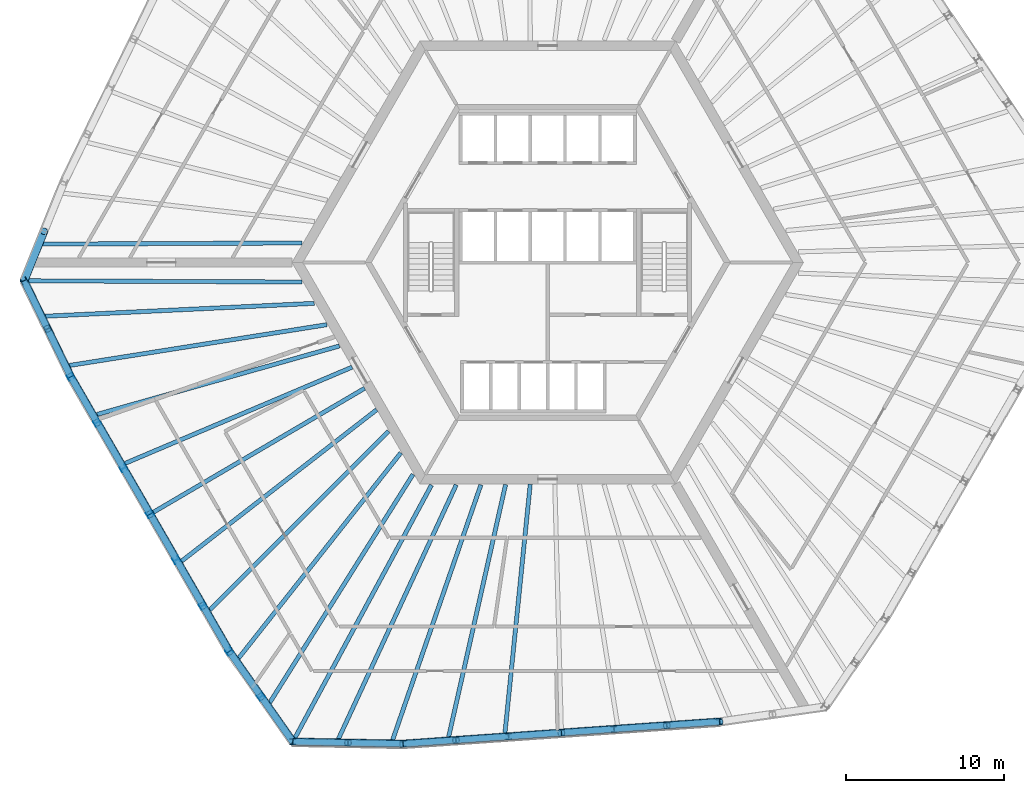
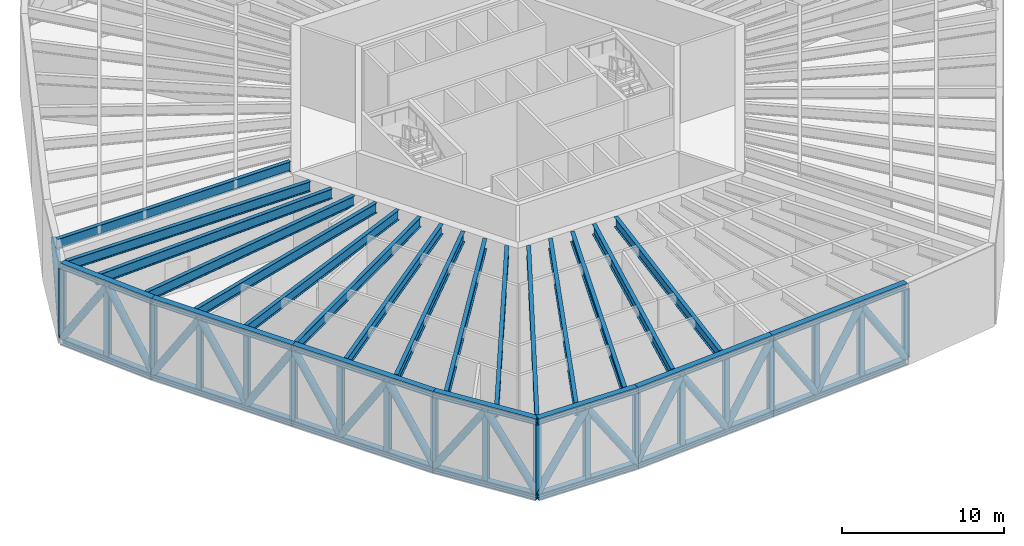
# One storey, part 1 of 11: 52 members, 16 beams.
"""IFC4 building model written with IfcOpenShell, lengths in metres."""

import ifcopenshell
import ifcopenshell.guid

model = None  # the IFC model being written
_history = None  # IfcOwnerHistory: only IFC2X3 demands one
_inside = {}  # id of a spatial element -> (the spatial element, [elements in it])
_under = {}  # id of a project, library or spatial element -> (it, [spatial elements below it])
_declared = {}  # id of a project -> (the project, [libraries it declares])
_typed = {}  # id of a type object -> (the type object, [elements of that type])
_made_of = {}  # id of a material, layer set ... -> (it, [elements and type objects made of it])


def new_model(schema):
    """Start an empty IFC model of exactly this schema.

    Asked for "IFC4X3", IfcOpenShell would pick the latest addendum, in which some entities
    have other attributes; the version numbers below select the first issue.
    IFC2X3 requires an IfcOwnerHistory on every rooted entity: one is made here for all.
    """
    global model, _history
    if schema == "IFC4X3":
        model = ifcopenshell.file(schema_version=(4, 3, 0, 0))
    else:
        model = ifcopenshell.file(schema=schema)
    _inside.clear()
    _under.clear()
    _declared.clear()
    _typed.clear()
    _made_of.clear()
    _history = None
    if model.schema == "IFC2X3":
        org = make("IfcOrganization", Name="unknown")
        user = make(
            "IfcPersonAndOrganization",
            ThePerson=make("IfcPerson", FamilyName="unknown"),
            TheOrganization=org,
        )
        app = make(
            "IfcApplication",
            ApplicationDeveloper=org,
            Version="unknown",
            ApplicationFullName="unknown",
            ApplicationIdentifier="unknown",
        )
        _history = make(
            "IfcOwnerHistory",
            OwningUser=user,
            OwningApplication=app,
            ChangeAction="ADDED",
            CreationDate=0,
        )
    return model


def make(cls, **values):
    """One entity of the class cls with the attributes given. An attribute that is None is left unset."""
    return model.create_entity(
        cls, **{name: value for name, value in values.items() if value is not None}
    )


def rooted(cls, **values):
    """An entity with a GlobalId (a new one), such as an element, a storey or a relation."""
    return make(cls, GlobalId=ifcopenshell.guid.new(), OwnerHistory=_history, **values)


def si_unit(unit_type, name, prefix=None):
    """IfcSIUnit, for example si_unit("LENGTHUNIT", "METRE", prefix="MILLI")."""
    return make("IfcSIUnit", UnitType=unit_type, Prefix=prefix, Name=name)


def assignment(units):
    """IfcUnitAssignment: the units of a project."""
    return None if units is None else make("IfcUnitAssignment", Units=units)


def point(xyz):
    """IfcCartesianPoint."""
    return None if xyz is None else make("IfcCartesianPoint", Coordinates=xyz)


def direction(xyz):
    """IfcDirection."""
    return None if xyz is None else make("IfcDirection", DirectionRatios=xyz)


def frame(location, z_axis=None, x_axis=None):
    """IfcAxis2Placement3D, a coordinate frame: its origin and axes. An axis left out is left unset."""
    return make(
        "IfcAxis2Placement3D",
        Location=point(location),
        Axis=direction(z_axis),
        RefDirection=direction(x_axis),
    )


def frame_2d(location, x_axis=None):
    """IfcAxis2Placement2D, a coordinate frame in the plane: its origin and x axis."""
    return make(
        "IfcAxis2Placement2D", Location=point(location), RefDirection=direction(x_axis)
    )


def origin():
    """The frame at (0, 0, 0) with its axes left unset."""
    return frame((0.0, 0.0, 0.0))


def origin_2d():
    """The frame at (0, 0) in the plane with its x axis left unset."""
    return frame_2d((0.0, 0.0))


def place(relative_to, where):
    """IfcLocalPlacement: puts the frame where relative to a parent placement (None: the world)."""
    return make(
        "IfcLocalPlacement", PlacementRelTo=relative_to, RelativePlacement=where
    )


def context(
    kind, dimensions, precision=None, world=None, true_north=None, identifier=None
):
    """IfcGeometricRepresentationContext, for example the 3D "Model" context."""
    return make(
        "IfcGeometricRepresentationContext",
        ContextIdentifier=identifier,
        ContextType=kind,
        CoordinateSpaceDimension=dimensions,
        Precision=precision,
        WorldCoordinateSystem=world,
        TrueNorth=true_north,
    )


def subcontext(parent, identifier, kind, view, scale=None):
    """IfcGeometricRepresentationSubContext, for example "Body" below "Model"."""
    return make(
        "IfcGeometricRepresentationSubContext",
        ContextIdentifier=identifier,
        ContextType=kind,
        ParentContext=parent,
        TargetScale=scale,
        TargetView=view,
    )


def project(units=None, contexts=None):
    """IfcProject with its units and contexts."""
    return rooted(
        "IfcProject",
        Name="project",
        RepresentationContexts=contexts,
        UnitsInContext=assignment(units),
    )


def spatial(cls, under=None, at=None, **own):
    """A site, building, storey or space (cls), placed at a placement, below another one or the project."""
    s = rooted(cls, ObjectPlacement=at, **own)
    if under is not None:
        _under.setdefault(under.id(), (under, []))[1].append(s)
    return s


def profile(cls, at=None, kind="AREA", **sizes):
    """A parametric profile (cls). Its sizes go by their IFC names, for example OverallWidth=200.0."""
    return make(cls, ProfileType=kind, Position=at, **sizes)


def hollow_circle(**sizes):
    """IfcCircleHollowProfileDef."""
    return profile("IfcCircleHollowProfileDef", **sizes)


def i_section(**sizes):
    """IfcIShapeProfileDef."""
    return profile("IfcIShapeProfileDef", **sizes)


def extrude(swept, where, along, depth):
    """IfcExtrudedAreaSolid: the profile swept, set in the frame where, extruded along a direction by depth."""
    return make(
        "IfcExtrudedAreaSolid",
        SweptArea=swept,
        Position=where,
        ExtrudedDirection=direction(along),
        Depth=depth,
    )


def shape(context_of_items, identifier, shape_type, items):
    """IfcShapeRepresentation: the items that make up one representation, for example the "Body"."""
    return make(
        "IfcShapeRepresentation",
        ContextOfItems=context_of_items,
        RepresentationIdentifier=identifier,
        RepresentationType=shape_type,
        Items=items,
    )


def material(Name=None, Category=None):
    """IfcMaterial."""
    return make("IfcMaterial", Name=Name, Category=Category)


def material_profile(
    of_material, cross_section, Name=None, Category=None, Priority=None
):
    """IfcMaterialProfile: a cross section and its material."""
    return make(
        "IfcMaterialProfile",
        Name=Name,
        Material=of_material,
        Profile=cross_section,
        Priority=Priority,
        Category=Category,
    )


def profile_set(profiles, Name=None, composite=None):
    """IfcMaterialProfileSet."""
    return make(
        "IfcMaterialProfileSet",
        Name=Name,
        MaterialProfiles=profiles,
        CompositeProfile=composite,
    )


def made_of(thing, what):
    """Note that an element or type object is made of a material, layer set ...; save() writes the relation."""
    if what is not None:
        _made_of.setdefault(what.id(), (what, []))[1].append(thing)
    return thing


def type_object(cls, material=None, **own):
    """A type object (cls), such as IfcWallType, which elements share."""
    return made_of(rooted(cls, **own), material)


def element(
    cls,
    number,
    at=None,
    inside=None,
    cuts=None,
    type_object=None,
    material=None,
    context=None,
    identifier="Body",
    shape_type=None,
    held_by="IfcProductDefinitionShape",
    body=None,
    shapes=None,
    **own,
):
    """One element of the class cls, such as IfcWall. Its Tag is "e" and its number.

    at: its placement. inside: the storey or other place that contains it. cuts: it is an
    opening in that element (IfcRelVoidsElement). A single representation is given by context,
    identifier, shape_type and body (its items); several are given by shapes. held_by: the class
    of the entity that holds the representations. save() writes the other relations.
    """
    e = rooted(cls, Tag="e%d" % number, ObjectPlacement=at, **own)
    if body is not None:
        shapes = [shape(context, identifier, shape_type, body)]
    if shapes is not None:
        e.Representation = make(held_by, Representations=shapes)
    if inside is not None:
        _inside.setdefault(inside.id(), (inside, []))[1].append(e)
    if cuts is not None:
        rooted(
            "IfcRelVoidsElement", RelatingBuildingElement=cuts, RelatedOpeningElement=e
        )
    if type_object is not None:
        _typed.setdefault(type_object.id(), (type_object, []))[1].append(e)
    return made_of(e, material)


def aggregate(whole, parts):
    """IfcRelAggregates: a whole, such as a stair, and the parts it consists of."""
    return rooted("IfcRelAggregates", RelatingObject=whole, RelatedObjects=parts)


def save(model, path):
    """Write the relations noted so far, then the file.

    IfcRelAggregates (storeys below a building ...), IfcRelContainedInSpatialStructure (elements
    in a storey), IfcRelDefinesByType, IfcRelAssociatesMaterial and IfcRelDeclares: one each for
    every whole, place, type object, material and project.
    """
    for whole, parts in _under.values():
        aggregate(whole, parts)
    for where, things in _inside.values():
        rooted(
            "IfcRelContainedInSpatialStructure",
            RelatedElements=things,
            RelatingStructure=where,
        )
    for kind, things in _typed.values():
        rooted("IfcRelDefinesByType", RelatedObjects=things, RelatingType=kind)
    for what, things in _made_of.values():
        rooted("IfcRelAssociatesMaterial", RelatedObjects=things, RelatingMaterial=what)
    for by, libraries in _declared.values():
        rooted("IfcRelDeclares", RelatingContext=by, RelatedDefinitions=libraries)
    model.write(path)


model = new_model("IFC4")

# Units and contexts
model_context = context("Model", 3, precision=1e-05, world=origin(), true_north=direction((0.0, 1.0)))
body_context = subcontext(model_context, "Body", "Model", "MODEL_VIEW")
ifc_project = project(units=[si_unit("LENGTHUNIT", "METRE"), si_unit("AREAUNIT", "SQUARE_METRE"), si_unit("VOLUMEUNIT", "CUBIC_METRE"), si_unit("PLANEANGLEUNIT", "RADIAN"), si_unit("MASSUNIT", "GRAM", prefix="KILO")], contexts=[model_context])

# Site, building, storey
site_placement = place(None, origin())
site = spatial("IfcSite", under=ifc_project, at=site_placement, CompositionType="ELEMENT")
building_placement = place(site_placement, origin())
building = spatial("IfcBuilding", under=site, at=building_placement, Name="Tarnside Tower", CompositionType="ELEMENT")
storey_placement = place(building_placement, frame((0.0, 0.0, 31.5)))
storey = spatial("IfcBuildingStorey", under=building, at=storey_placement, Name="L05", CompositionType="ELEMENT", Elevation=31.5)

# Beams
ifc_material_1 = material(Name="Steel S355", Category="steel")
ifc_material_profile_1 = material_profile(ifc_material_1, i_section(OverallWidth=0.26513671875, OverallDepth=0.75390625, WebThickness=0.0126953125, FlangeThickness=0.017578125, FilletRadius=0.0166015625, at=origin_2d()), Name="UB 762x267x147")
ifc_profile_set_1 = profile_set([ifc_material_profile_1], Name="Steel S355")
beam_type_1 = type_object("IfcBeamType", Name="Floor beam UB 762x267x147", PredefinedType="BEAM", material=ifc_profile_set_1)
beam_1_placement = place(storey_placement, frame((-26.721923828125, -12.702392578125, 5.472900390625), z_axis=(0.920685822789, 0.390304516647, 0.0), x_axis=(-0.390304516647, 0.920685822789, 0.0)))
element("IfcBeam", 1, at=beam_1_placement, inside=storey, type_object=beam_type_1, Name="Floor beam F3.04", PredefinedType="BEAM", context=body_context, shape_type="SweptSolid", body=[
    extrude(i_section(OverallWidth=0.26513671875, OverallDepth=0.75390625, WebThickness=0.0126953125, FlangeThickness=0.017578125, FilletRadius=0.0166015625, at=origin_2d()), origin(), (0.0, 0.0, 1.0), 15.59033203125),
])
beam_2_placement = place(storey_placement, frame((-24.9541015625, -15.803955078125, 5.472900390625), z_axis=(0.862499261589, 0.506058320512, 0.0), x_axis=(-0.506058320512, 0.862499261589, 0.0)))
element("IfcBeam", 2, at=beam_2_placement, inside=storey, type_object=beam_type_1, Name="Floor beam F3.05", PredefinedType="BEAM", context=body_context, shape_type="SweptSolid", body=[
    extrude(i_section(OverallWidth=0.26513671875, OverallDepth=0.75390625, WebThickness=0.0126953125, FlangeThickness=0.017578125, FilletRadius=0.0166015625, at=origin_2d()), origin(), (0.0, 0.0, 1.0), 15.51318359375),
])
beam_3_placement = place(storey_placement, frame((-23.152099609375, -18.885498046875, 5.472900390625), z_axis=(0.789977194485, 0.613136226457, 0.0), x_axis=(-0.613136226457, 0.789977194485, 0.0)))
element("IfcBeam", 3, at=beam_3_placement, inside=storey, type_object=beam_type_1, Name="Floor beam F3.06", PredefinedType="BEAM", context=body_context, shape_type="SweptSolid", body=[
    extrude(i_section(OverallWidth=0.26513671875, OverallDepth=0.75390625, WebThickness=0.0126953125, FlangeThickness=0.017578125, FilletRadius=0.0166015625, at=origin_2d()), origin(), (0.0, 0.0, 1.0), 15.618408203125),
])
beam_4_placement = place(storey_placement, frame((-2.7001953125, -29.734375, 5.472900390625), z_axis=(0.101131874425, 0.994873029072, 0.0), x_axis=(-0.994873029072, 0.101131874425, 0.0)))
element("IfcBeam", 4, at=beam_4_placement, inside=storey, type_object=beam_type_1, Name="Floor beam F4.04", PredefinedType="BEAM", context=body_context, shape_type="SweptSolid", body=[
    extrude(i_section(OverallWidth=0.26513671875, OverallDepth=0.75390625, WebThickness=0.0126953125, FlangeThickness=0.017578125, FilletRadius=0.0166015625, at=origin_2d()), origin(), (0.0, 0.0, 1.0), 15.79541015625),
])
ifc_material_profile_2 = material_profile(ifc_material_1, i_section(OverallWidth=0.2666015625, OverallDepth=0.76220703125, WebThickness=0.014404296875, FlangeThickness=0.021484375, FilletRadius=0.0166015625, at=origin_2d()), Name="UB 762x267x173")
ifc_profile_set_2 = profile_set([ifc_material_profile_2], Name="Steel S355")
beam_type_2 = type_object("IfcBeamType", Name="Floor beam UB 762x267x173", PredefinedType="BEAM", material=ifc_profile_set_2)
beam_5_placement = place(storey_placement, frame((-32.189697265625, 1.161865234375, 5.468994140625), z_axis=(0.99999052505, 0.004353137894, 0.0), x_axis=(-0.004353137894, 0.99999052505, 0.0)))
element("IfcBeam", 5, at=beam_5_placement, inside=storey, type_object=beam_type_2, Name="Floor beam F2.09", PredefinedType="BEAM", context=body_context, shape_type="SweptSolid", body=[
    extrude(i_section(OverallWidth=0.2666015625, OverallDepth=0.76220703125, WebThickness=0.014404296875, FlangeThickness=0.021484375, FilletRadius=0.0166015625, at=origin_2d()), origin(), (0.0, 0.0, 1.0), 16.656982421875),
])
beam_6_placement = place(storey_placement, frame((-32.8701171875, -1.156982421875, 5.468994140625), z_axis=(0.999990036629, -0.004463926909, 0.0), x_axis=(0.004463926909, 0.999990036629, 0.0)))
element("IfcBeam", 6, at=beam_6_placement, inside=storey, type_object=beam_type_2, Name="Floor beam C2", PredefinedType="BEAM", context=body_context, shape_type="SweptSolid", body=[
    extrude(i_section(OverallWidth=0.2666015625, OverallDepth=0.76220703125, WebThickness=0.014404296875, FlangeThickness=0.021484375, FilletRadius=0.0166015625, at=origin_2d()), origin(), (0.0, 0.0, 1.0), 17.33740234375),
])
beam_7_placement = place(storey_placement, frame((-32.02783203125, -3.409912109375, 5.468994140625), z_axis=(0.99885374882, 0.047866360505, 0.0), x_axis=(-0.047866360505, 0.99885374882, 0.0)))
element("IfcBeam", 7, at=beam_7_placement, inside=storey, type_object=beam_type_2, Name="Floor beam F3.01", PredefinedType="BEAM", context=body_context, shape_type="SweptSolid", body=[
    extrude(i_section(OverallWidth=0.2666015625, OverallDepth=0.76220703125, WebThickness=0.014404296875, FlangeThickness=0.021484375, FilletRadius=0.0166015625, at=origin_2d()), origin(), (0.0, 0.0, 1.0), 17.29052734375),
])
beam_8_placement = place(storey_placement, frame((-30.25341796875, -6.51318359375, 5.468994140625), z_axis=(0.987678701594, 0.156495311166, 0.0), x_axis=(-0.156495311166, 0.987678701594, 0.0)))
element("IfcBeam", 8, at=beam_8_placement, inside=storey, type_object=beam_type_2, Name="Floor beam F3.02", PredefinedType="BEAM", context=body_context, shape_type="SweptSolid", body=[
    extrude(i_section(OverallWidth=0.2666015625, OverallDepth=0.76220703125, WebThickness=0.014404296875, FlangeThickness=0.021484375, FilletRadius=0.0166015625, at=origin_2d()), origin(), (0.0, 0.0, 1.0), 16.49609375),
])
beam_9_placement = place(storey_placement, frame((-28.488037109375, -9.605712890625, 5.468994140625), z_axis=(0.962339490749, 0.271850518751, 0.0), x_axis=(-0.271850518751, 0.962339490749, 0.0)))
element("IfcBeam", 9, at=beam_9_placement, inside=storey, type_object=beam_type_2, Name="Floor beam F3.03", PredefinedType="BEAM", context=body_context, shape_type="SweptSolid", body=[
    extrude(i_section(OverallWidth=0.2666015625, OverallDepth=0.76220703125, WebThickness=0.014404296875, FlangeThickness=0.021484375, FilletRadius=0.0166015625, at=origin_2d()), origin(), (0.0, 0.0, 1.0), 15.923583984375),
])
beam_10_placement = place(storey_placement, frame((-21.353515625, -21.96337890625, 5.468994140625), z_axis=(0.707366480113, 0.706846986845, 0.0), x_axis=(-0.706846986845, 0.707366480113, 0.0)))
element("IfcBeam", 10, at=beam_10_placement, inside=storey, type_object=beam_type_2, Name="Floor beam F3.07", PredefinedType="BEAM", context=body_context, shape_type="SweptSolid", body=[
    extrude(i_section(OverallWidth=0.2666015625, OverallDepth=0.76220703125, WebThickness=0.014404296875, FlangeThickness=0.021484375, FilletRadius=0.0166015625, at=origin_2d()), origin(), (0.0, 0.0, 1.0), 15.978515625),
])
beam_11_placement = place(storey_placement, frame((-19.55859375, -25.038330078125, 5.468994140625), z_axis=(0.619880174217, 0.784696482478, 0.0), x_axis=(-0.784696482478, 0.619880174217, 0.0)))
element("IfcBeam", 11, at=beam_11_placement, inside=storey, type_object=beam_type_2, Name="Floor beam F3.08", PredefinedType="BEAM", context=body_context, shape_type="SweptSolid", body=[
    extrude(i_section(OverallWidth=0.2666015625, OverallDepth=0.76220703125, WebThickness=0.014404296875, FlangeThickness=0.021484375, FilletRadius=0.0166015625, at=origin_2d()), origin(), (0.0, 0.0, 1.0), 16.57568359375),
])
beam_12_placement = place(storey_placement, frame((-17.75830078125, -28.126708984375, 5.468994140625), z_axis=(0.531586656968, 0.847003911522, 0.0), x_axis=(-0.847003911522, 0.531586656968, 0.0)))
element("IfcBeam", 12, at=beam_12_placement, inside=storey, type_object=beam_type_2, Name="Floor beam F3.09", PredefinedType="BEAM", context=body_context, shape_type="SweptSolid", body=[
    extrude(i_section(OverallWidth=0.2666015625, OverallDepth=0.76220703125, WebThickness=0.014404296875, FlangeThickness=0.021484375, FilletRadius=0.0166015625, at=origin_2d()), origin(), (0.0, 0.0, 1.0), 17.3916015625),
])
beam_13_placement = place(storey_placement, frame((-16.01123046875, -30.115478515625, 5.468994140625), z_axis=(0.475217946728, 0.879868116883, 0.0), x_axis=(-0.879868116883, 0.475217946728, 0.0)))
element("IfcBeam", 13, at=beam_13_placement, inside=storey, type_object=beam_type_2, Name="Floor beam C3", PredefinedType="BEAM", context=body_context, shape_type="SweptSolid", body=[
    extrude(i_section(OverallWidth=0.2666015625, OverallDepth=0.76220703125, WebThickness=0.014404296875, FlangeThickness=0.021484375, FilletRadius=0.0166015625, at=origin_2d()), origin(), (0.0, 0.0, 1.0), 18.23583984375),
])
beam_14_placement = place(storey_placement, frame((-13.3818359375, -30.45068359375, 5.468994140625), z_axis=(0.420589304417, 0.907251143295, 0.0), x_axis=(-0.907251143295, 0.420589304417, 0.0)))
element("IfcBeam", 14, at=beam_14_placement, inside=storey, type_object=beam_type_2, Name="Floor beam F4.01", PredefinedType="BEAM", context=body_context, shape_type="SweptSolid", body=[
    extrude(i_section(OverallWidth=0.2666015625, OverallDepth=0.76220703125, WebThickness=0.014404296875, FlangeThickness=0.021484375, FilletRadius=0.0166015625, at=origin_2d()), origin(), (0.0, 0.0, 1.0), 18.072509765625),
])
beam_15_placement = place(storey_placement, frame((-9.8134765625, -30.216064453125, 5.468994140625), z_axis=(0.32691194549, 0.945054802589, 0.0), x_axis=(-0.945054802589, 0.32691194549, 0.0)))
element("IfcBeam", 15, at=beam_15_placement, inside=storey, type_object=beam_type_2, Name="Floor beam F4.02", PredefinedType="BEAM", context=body_context, shape_type="SweptSolid", body=[
    extrude(i_section(OverallWidth=0.2666015625, OverallDepth=0.76220703125, WebThickness=0.014404296875, FlangeThickness=0.021484375, FilletRadius=0.0166015625, at=origin_2d()), origin(), (0.0, 0.0, 1.0), 17.098876953125),
])
beam_16_placement = place(storey_placement, frame((-6.259521484375, -29.984375, 5.468994140625), z_axis=(0.220134804833, 0.975469460158, 0.0), x_axis=(-0.975469460158, 0.220134804833, 0.0)))
element("IfcBeam", 16, at=beam_16_placement, inside=storey, type_object=beam_type_2, Name="Floor beam F4.03", PredefinedType="BEAM", context=body_context, shape_type="SweptSolid", body=[
    extrude(i_section(OverallWidth=0.2666015625, OverallDepth=0.76220703125, WebThickness=0.014404296875, FlangeThickness=0.021484375, FilletRadius=0.0166015625, at=origin_2d()), origin(), (0.0, 0.0, 1.0), 16.34619140625),
])

# Members
ifc_material_2 = material(Name="Steel S460", Category="steel")
ifc_material_profile_3 = material_profile(ifc_material_2, i_section(OverallWidth=0.41845703125, OverallDepth=0.45556640625, WebThickness=0.0419921875, FlangeThickness=0.0673828125, FilletRadius=0.01513671875, at=origin_2d()), Name="UC 356x406x551")
ifc_profile_set_3 = profile_set([ifc_material_profile_3], Name="Steel S460")
member_type_1 = type_object("IfcMemberType", Name="Truss chord UC 356x406x551", PredefinedType="CHORD", material=ifc_profile_set_3)
member_1_placement = place(storey_placement, frame((-33.102294921875, -1.156005859375, -0.072265625), z_axis=(0.437238996411, -0.899345350806, 0.0), x_axis=(0.899345350806, 0.437238996411, 0.0)))
element("IfcMember", 17, at=member_1_placement, inside=storey, type_object=member_type_1, Name="Transfer ring truss bottom chord L05 span M08", PredefinedType="CHORD", context=body_context, shape_type="SweptSolid", body=[
    extrude(i_section(OverallWidth=0.41845703125, OverallDepth=0.45556640625, WebThickness=0.0419921875, FlangeThickness=0.0673828125, FilletRadius=0.01513671875, at=origin_2d()), origin(), (0.0, 0.0, 1.0), 6.754638671875),
])
member_2_placement = place(storey_placement, frame((-30.14892578125, -7.230712890625, -0.072265625), z_axis=(0.499995137693, -0.86602821102, 0.0), x_axis=(0.86602821102, 0.499995137693, 0.0)))
element("IfcMember", 18, at=member_2_placement, inside=storey, type_object=member_type_1, Name="Transfer ring truss bottom chord L05 span M09", PredefinedType="CHORD", context=body_context, shape_type="SweptSolid", body=[
    extrude(i_section(OverallWidth=0.41845703125, OverallDepth=0.45556640625, WebThickness=0.0419921875, FlangeThickness=0.0673828125, FilletRadius=0.01513671875, at=origin_2d()), origin(), (0.0, 0.0, 1.0), 10.0234375),
])
member_3_placement = place(storey_placement, frame((-25.13720703125, -15.911376953125, -0.072265625), z_axis=(0.500013405032, -0.866017664247, 0.0), x_axis=(0.866017664247, 0.500013405032, 0.0)))
element("IfcMember", 19, at=member_3_placement, inside=storey, type_object=member_type_1, Name="Transfer ring truss bottom chord L05 span M10", PredefinedType="CHORD", context=body_context, shape_type="SweptSolid", body=[
    extrude(i_section(OverallWidth=0.41845703125, OverallDepth=0.45556640625, WebThickness=0.0419921875, FlangeThickness=0.0673828125, FilletRadius=0.01513671875, at=origin_2d()), origin(), (0.0, 0.0, 1.0), 10.023681640625),
])
for number, where, z_axis, x_axis, name in (
    (20, (-20.125244140625, -24.592041015625, -0.072265625), (0.575043611788, -0.818122756402, 0.0), (0.818122756402, 0.575043611788, 0.0), "Transfer ring truss bottom chord L05 span M11"),
    (21, (-16.11181640625, -30.302001953125, -0.072265625), (0.999814907184, -0.019239318415, 0.0), (0.019239318415, 0.999814907184, 0.0), "Transfer ring truss bottom chord L05 span M12"),
):
    element("IfcMember", number, at=place(storey_placement, frame(where, z_axis=z_axis, x_axis=x_axis)), inside=storey, type_object=member_type_1, Name=name, PredefinedType="CHORD", context=body_context, shape_type="SweptSolid", body=[
        extrude(i_section(OverallWidth=0.41845703125, OverallDepth=0.45556640625, WebThickness=0.0419921875, FlangeThickness=0.0673828125, FilletRadius=0.01513671875, at=origin_2d()), origin(), (0.0, 0.0, 1.0), 6.979248046875),
    ])
member_4_placement = place(storey_placement, frame((-9.1337890625, -30.436279296875, -0.072265625), z_axis=(0.997564037441, 0.069756657061, 0.0), x_axis=(-0.069756657061, 0.997564037441, 0.0)))
element("IfcMember", 22, at=member_4_placement, inside=storey, type_object=member_type_1, Name="Transfer ring truss bottom chord L05 span M13", PredefinedType="CHORD", context=body_context, shape_type="SweptSolid", body=[
    extrude(i_section(OverallWidth=0.41845703125, OverallDepth=0.45556640625, WebThickness=0.0419921875, FlangeThickness=0.0673828125, FilletRadius=0.01513671875, at=origin_2d()), origin(), (0.0, 0.0, 1.0), 10.023681640625),
])
member_5_placement = place(storey_placement, frame((0.865478515625, -29.737060546875, -0.072265625), z_axis=(0.997563918919, 0.069758351982, 0.0), x_axis=(-0.069758351982, 0.997563918919, 0.0)))
element("IfcMember", 23, at=member_5_placement, inside=storey, type_object=member_type_1, Name="Transfer ring truss bottom chord L05 span M14", PredefinedType="CHORD", context=body_context, shape_type="SweptSolid", body=[
    extrude(i_section(OverallWidth=0.41845703125, OverallDepth=0.45556640625, WebThickness=0.0419921875, FlangeThickness=0.0673828125, FilletRadius=0.01513671875, at=origin_2d()), origin(), (0.0, 0.0, 1.0), 10.0234375),
])
ifc_material_profile_4 = material_profile(ifc_material_2, i_section(OverallWidth=0.424072265625, OverallDepth=0.474609375, WebThickness=0.047607421875, FlangeThickness=0.076904296875, FilletRadius=0.01513671875, at=origin_2d()), Name="UC 356x406x634")
ifc_profile_set_4 = profile_set([ifc_material_profile_4], Name="Steel S460")
member_type_2 = type_object("IfcMemberType", Name="Truss chord UC 356x406x634", PredefinedType="CHORD", material=ifc_profile_set_4)
member_6_placement = place(storey_placement, frame((-33.102294921875, -1.156005859375, 5.61279296875), z_axis=(0.437238996411, -0.899345350806, 0.0), x_axis=(0.899345350806, 0.437238996411, 0.0)))
element("IfcMember", 24, at=member_6_placement, inside=storey, type_object=member_type_2, Name="Transfer ring truss top chord L05 span M08", PredefinedType="CHORD", context=body_context, shape_type="SweptSolid", body=[
    extrude(i_section(OverallWidth=0.424072265625, OverallDepth=0.474609375, WebThickness=0.047607421875, FlangeThickness=0.076904296875, FilletRadius=0.01513671875, at=origin_2d()), origin(), (0.0, 0.0, 1.0), 6.754638671875),
])
member_7_placement = place(storey_placement, frame((-30.14892578125, -7.230712890625, 5.61279296875), z_axis=(0.499995137693, -0.86602821102, 0.0), x_axis=(0.86602821102, 0.499995137693, 0.0)))
element("IfcMember", 25, at=member_7_placement, inside=storey, type_object=member_type_2, Name="Transfer ring truss top chord L05 span M09", PredefinedType="CHORD", context=body_context, shape_type="SweptSolid", body=[
    extrude(i_section(OverallWidth=0.424072265625, OverallDepth=0.474609375, WebThickness=0.047607421875, FlangeThickness=0.076904296875, FilletRadius=0.01513671875, at=origin_2d()), origin(), (0.0, 0.0, 1.0), 10.0234375),
])
member_8_placement = place(storey_placement, frame((-25.13720703125, -15.911376953125, 5.61279296875), z_axis=(0.500013405032, -0.866017664247, 0.0), x_axis=(0.866017664247, 0.500013405032, 0.0)))
element("IfcMember", 26, at=member_8_placement, inside=storey, type_object=member_type_2, Name="Transfer ring truss top chord L05 span M10", PredefinedType="CHORD", context=body_context, shape_type="SweptSolid", body=[
    extrude(i_section(OverallWidth=0.424072265625, OverallDepth=0.474609375, WebThickness=0.047607421875, FlangeThickness=0.076904296875, FilletRadius=0.01513671875, at=origin_2d()), origin(), (0.0, 0.0, 1.0), 10.023681640625),
])
for number, where, z_axis, x_axis, name in (
    (27, (-20.125244140625, -24.592041015625, 5.61279296875), (0.575043611788, -0.818122756402, 0.0), (0.818122756402, 0.575043611788, 0.0), "Transfer ring truss top chord L05 span M11"),
    (28, (-16.11181640625, -30.302001953125, 5.61279296875), (0.999814907184, -0.019239318415, 0.0), (0.019239318415, 0.999814907184, 0.0), "Transfer ring truss top chord L05 span M12"),
):
    element("IfcMember", number, at=place(storey_placement, frame(where, z_axis=z_axis, x_axis=x_axis)), inside=storey, type_object=member_type_2, Name=name, PredefinedType="CHORD", context=body_context, shape_type="SweptSolid", body=[
        extrude(i_section(OverallWidth=0.424072265625, OverallDepth=0.474609375, WebThickness=0.047607421875, FlangeThickness=0.076904296875, FilletRadius=0.01513671875, at=origin_2d()), origin(), (0.0, 0.0, 1.0), 6.979248046875),
    ])
member_9_placement = place(storey_placement, frame((-9.1337890625, -30.436279296875, 5.61279296875), z_axis=(0.997564037441, 0.069756657061, 0.0), x_axis=(-0.069756657061, 0.997564037441, 0.0)))
element("IfcMember", 29, at=member_9_placement, inside=storey, type_object=member_type_2, Name="Transfer ring truss top chord L05 span M13", PredefinedType="CHORD", context=body_context, shape_type="SweptSolid", body=[
    extrude(i_section(OverallWidth=0.424072265625, OverallDepth=0.474609375, WebThickness=0.047607421875, FlangeThickness=0.076904296875, FilletRadius=0.01513671875, at=origin_2d()), origin(), (0.0, 0.0, 1.0), 10.023681640625),
])
member_10_placement = place(storey_placement, frame((0.865478515625, -29.737060546875, 5.61279296875), z_axis=(0.997563918919, 0.069758351982, 0.0), x_axis=(-0.069758351982, 0.997563918919, 0.0)))
element("IfcMember", 30, at=member_10_placement, inside=storey, type_object=member_type_2, Name="Transfer ring truss top chord L05 span M14", PredefinedType="CHORD", context=body_context, shape_type="SweptSolid", body=[
    extrude(i_section(OverallWidth=0.424072265625, OverallDepth=0.474609375, WebThickness=0.047607421875, FlangeThickness=0.076904296875, FilletRadius=0.01513671875, at=origin_2d()), origin(), (0.0, 0.0, 1.0), 10.0234375),
])
ifc_material_profile_5 = material_profile(ifc_material_1, hollow_circle(Radius=0.25390625, WallThickness=0.01611328125, at=origin_2d()), Name="CHS 508x16")
ifc_profile_set_5 = profile_set([ifc_material_profile_5], Name="Steel S355")
member_type_3 = type_object("IfcMemberType", Name="Truss diagonal CHS 508x16", PredefinedType="BRACE", material=ifc_profile_set_5)
for number, where, z_axis, x_axis, name in (
    (31, (-31.841064453125, 1.97705078125, 5.37548828125), (-0.202858173994, -0.50392546397, -0.839587808396), (0.927656852115, -0.373433748775, 0.0), "Transfer ring truss diagonal L05 18"),
    (32, (-33.102294921875, -1.156005859375, 0.155517578125), (0.237532599966, -0.488534150466, 0.839590762087), (0.899331137529, 0.437268230119, 0.0), "Transfer ring truss diagonal L05 19"),
    (33, (-31.62548828125, -4.193359375, 5.37548828125), (0.237495546943, -0.488538706931, -0.839598592789), (0.899359563583, 0.437209761318, 0.0), "Transfer ring truss diagonal L05 20"),
):
    element("IfcMember", number, at=place(storey_placement, frame(where, z_axis=z_axis, x_axis=x_axis)), inside=storey, type_object=member_type_3, Name=name, PredefinedType="BRACE", context=body_context, shape_type="SweptSolid", body=[
        extrude(hollow_circle(Radius=0.25390625, WallThickness=0.01611328125, at=origin_2d()), origin(), (0.0, 0.0, 1.0), 6.21728515625),
    ])
member_11_placement = place(storey_placement, frame((-30.14892578125, -7.230712890625, 0.155517578125), z_axis=(0.269564086188, -0.466842610757, 0.842254819054), x_axis=(0.865999394202, 0.500045047213, 0.0)))
element("IfcMember", 34, at=member_11_placement, inside=storey, type_object=member_type_3, Name="Transfer ring truss diagonal L05 21", PredefinedType="BRACE", context=body_context, shape_type="SweptSolid", body=[
    extrude(hollow_circle(Radius=0.25390625, WallThickness=0.01611328125, at=origin_2d()), origin(), (0.0, 0.0, 1.0), 6.197509765625),
])
for number, where, z_axis, x_axis, name in (
    (35, (-28.478271484375, -10.1240234375, 5.37548828125), (0.269559128783, -0.466873417265, -0.84223932961), (0.866017664247, 0.500013405032, 0.0), "Transfer ring truss diagonal L05 22"),
    (36, (-26.8076171875, -13.017578125, 0.155517578125), (0.26951764157, -0.46690917941, 0.842232781994), (0.866067567422, 0.499926963326, 0.0), "Transfer ring truss diagonal L05 23"),
    (37, (-25.13720703125, -15.911376953125, 5.37548828125), (0.269559128783, -0.466873417265, -0.84223932961), (0.866017664247, 0.500013405032, 0.0), "Transfer ring truss diagonal L05 24"),
    (38, (-23.466552734375, -18.804931640625, 0.155517578125), (0.269559128783, -0.466873417265, 0.84223932961), (0.866017664247, 0.500013405032, 0.0), "Transfer ring truss diagonal L05 25"),
    (39, (-21.7958984375, -21.698486328125, 5.37548828125), (0.269559128783, -0.466873417265, -0.84223932961), (0.866017664247, 0.500013405032, 0.0), "Transfer ring truss diagonal L05 26"),
):
    element("IfcMember", number, at=place(storey_placement, frame(where, z_axis=z_axis, x_axis=x_axis)), inside=storey, type_object=member_type_3, Name=name, PredefinedType="BRACE", context=body_context, shape_type="SweptSolid", body=[
        extrude(hollow_circle(Radius=0.25390625, WallThickness=0.01611328125, at=origin_2d()), origin(), (0.0, 0.0, 1.0), 6.19775390625),
    ])
for number, where, z_axis, x_axis, name in (
    (40, (-20.125244140625, -24.592041015625, 0.155517578125), (0.319573587318, -0.454689564435, 0.831342361655), (0.818139213169, 0.575020197797, 0.0), "Transfer ring truss diagonal L05 27"),
    (41, (-18.11865234375, -27.447021484375, 5.37548828125), (0.31960849802, -0.454683914336, -0.831332031163), (0.818106299626, 0.575067024365, 0.0), "Transfer ring truss diagonal L05 28"),
    (42, (-16.11181640625, -30.302001953125, 0.155517578125), (0.555664068028, -0.010692577056, 0.831338145581), (0.019239318415, 0.999814907184, 0.0), "Transfer ring truss diagonal L05 29"),
    (43, (-12.622802734375, -30.369140625, 5.37548828125), (0.555664068028, -0.010692577056, -0.831338145581), (0.019239318415, 0.999814907184, 0.0), "Transfer ring truss diagonal L05 30"),
):
    element("IfcMember", number, at=place(storey_placement, frame(where, z_axis=z_axis, x_axis=x_axis)), inside=storey, type_object=member_type_3, Name=name, PredefinedType="BRACE", context=body_context, shape_type="SweptSolid", body=[
        extrude(hollow_circle(Radius=0.25390625, WallThickness=0.01611328125, at=origin_2d()), origin(), (0.0, 0.0, 1.0), 6.279052734375),
    ])
for number, where, z_axis, x_axis, name in (
    (44, (-9.1337890625, -30.436279296875, 0.155517578125), (0.53778202883, 0.037619531023, 0.842244180956), (-0.06978259036, 0.997562223665, 0.0), "Transfer ring truss diagonal L05 31"),
    (45, (-5.80078125, -30.203125, 5.37548828125), (0.537782825362, 0.037580194506, -0.842245428439), (-0.069709874855, 0.997567307678, 0.0), "Transfer ring truss diagonal L05 32"),
    (46, (-2.4677734375, -29.97021484375, 0.155517578125), (0.537810027526, 0.037618734072, 0.842226338426), (-0.069777504093, 0.997562579452, 0.0), "Transfer ring truss diagonal L05 33"),
    (47, (0.865478515625, -29.737060546875, 5.37548828125), (0.53778202883, 0.037619531023, -0.842244180956), (-0.06978259036, 0.997562223665, 0.0), "Transfer ring truss diagonal L05 34"),
    (48, (4.198486328125, -29.50390625, 0.155517578125), (0.537782825362, 0.037580194506, 0.842245428439), (-0.069709874855, 0.997567307678, 0.0), "Transfer ring truss diagonal L05 35"),
    (49, (7.531494140625, -29.27099609375, 5.37548828125), (0.53778202883, 0.037619531023, -0.842244180956), (-0.06978259036, 0.997562223665, 0.0), "Transfer ring truss diagonal L05 36"),
):
    element("IfcMember", number, at=place(storey_placement, frame(where, z_axis=z_axis, x_axis=x_axis)), inside=storey, type_object=member_type_3, Name=name, PredefinedType="BRACE", context=body_context, shape_type="SweptSolid", body=[
        extrude(hollow_circle(Radius=0.25390625, WallThickness=0.01611328125, at=origin_2d()), origin(), (0.0, 0.0, 1.0), 6.19775390625),
    ])
ifc_material_profile_6 = material_profile(ifc_material_1, i_section(OverallWidth=0.374755859375, OverallDepth=0.37451171875, WebThickness=0.0166015625, FlangeThickness=0.027099609375, FilletRadius=0.01513671875, at=origin_2d()), Name="UC 356x368x202")
ifc_profile_set_6 = profile_set([ifc_material_profile_6], Name="Steel S355")
member_type_4 = type_object("IfcMemberType", Name="Truss post UC 356x368x202", PredefinedType="POST", material=ifc_profile_set_6)
for number, where, z_axis, x_axis, name in (
    (50, (-33.102294921875, -1.156005859375, 0.155517578125), (0.0, 0.0, 1.0), (0.437251617337, -0.899339214722, 0.0), "Transfer ring truss post L05 19"),
    (51, (-31.62548828125, -4.193359375, 0.155517578125), (0.0, 0.0, 1.0), (0.437251617337, -0.899339214722, 0.0), "Transfer ring truss post L05 20"),
    (52, (-30.14892578125, -7.230712890625, 0.155517578125), (0.0, 0.0, 1.0), (0.5, -0.866025403784, 0.0), "Transfer ring truss post L05 21"),
    (53, (-28.478271484375, -10.1240234375, 0.155517578125), (0.0, 0.0, 1.0), (0.5, -0.866025403784, 0.0), "Transfer ring truss post L05 22"),
    (54, (-26.8076171875, -13.017578125, 0.155517578125), (0.0, 0.0, 1.0), (0.5, -0.866025403784, 0.0), "Transfer ring truss post L05 23"),
    (55, (-25.13720703125, -15.911376953125, 0.155517578125), (0.0, 0.0, 1.0), (0.5, -0.866025403784, 0.0), "Transfer ring truss post L05 24"),
    (56, (-23.466552734375, -18.804931640625, 0.155517578125), (0.0, 0.0, 1.0), (0.5, -0.866025403784, 0.0), "Transfer ring truss post L05 25"),
    (57, (-21.7958984375, -21.698486328125, 0.155517578125), (0.0, 0.0, 1.0), (0.5, -0.866025403784, 0.0), "Transfer ring truss post L05 26"),
    (58, (-20.125244140625, -24.592041015625, 0.155517578125), (0.0, 0.0, 1.0), (0.575026836322, -0.818134547314, 0.0), "Transfer ring truss post L05 27"),
    (59, (-18.11865234375, -27.447021484375, 0.155517578125), (0.0, 0.0, 1.0), (0.575026836322, -0.818134547314, 0.0), "Transfer ring truss post L05 28"),
    (60, (-16.11181640625, -30.302001953125, 0.155517578125), (0.0, 0.0, 1.0), (0.999815205306, -0.019223819596, 0.0), "Transfer ring truss post L05 29"),
    (61, (-12.622802734375, -30.369140625, 0.155517578125), (0.0, 0.0, 1.0), (0.999815205306, -0.019223819596, 0.0), "Transfer ring truss post L05 30"),
    (62, (-9.1337890625, -30.436279296875, 0.155517578125), (0.0, 0.0, 1.0), (0.99756405026, 0.069756473744, 0.0), "Transfer ring truss post L05 31"),
    (63, (-5.80078125, -30.203125, 0.155517578125), (0.0, 0.0, 1.0), (0.99756405026, 0.069756473744, 0.0), "Transfer ring truss post L05 32"),
    (64, (-2.4677734375, -29.97021484375, 0.155517578125), (0.0, 0.0, 1.0), (0.99756405026, 0.069756473744, 0.0), "Transfer ring truss post L05 33"),
    (65, (0.865478515625, -29.737060546875, 0.155517578125), (0.0, 0.0, 1.0), (0.99756405026, 0.069756473744, 0.0), "Transfer ring truss post L05 34"),
    (66, (4.198486328125, -29.50390625, 0.155517578125), (0.0, 0.0, 1.0), (0.99756405026, 0.069756473744, 0.0), "Transfer ring truss post L05 35"),
    (67, (7.531494140625, -29.27099609375, 0.155517578125), (0.0, 0.0, 1.0), (0.99756405026, 0.069756473744, 0.0), "Transfer ring truss post L05 36"),
    (68, (10.864501953125, -29.037841796875, 0.155517578125), (0.0, 0.0, 1.0), (0.990094000922, 0.140406087252, 0.0), "Transfer ring truss post L05 37"),
):
    element("IfcMember", number, at=place(storey_placement, frame(where, z_axis=z_axis, x_axis=x_axis)), inside=storey, type_object=member_type_4, Name=name, PredefinedType="POST", context=body_context, shape_type="SweptSolid", body=[
        extrude(i_section(OverallWidth=0.374755859375, OverallDepth=0.37451171875, WebThickness=0.0166015625, FlangeThickness=0.027099609375, FilletRadius=0.01513671875, at=origin_2d()), origin(), (0.0, 0.0, 1.0), 5.219970703125),
    ])

save(model, "model.ifc")
